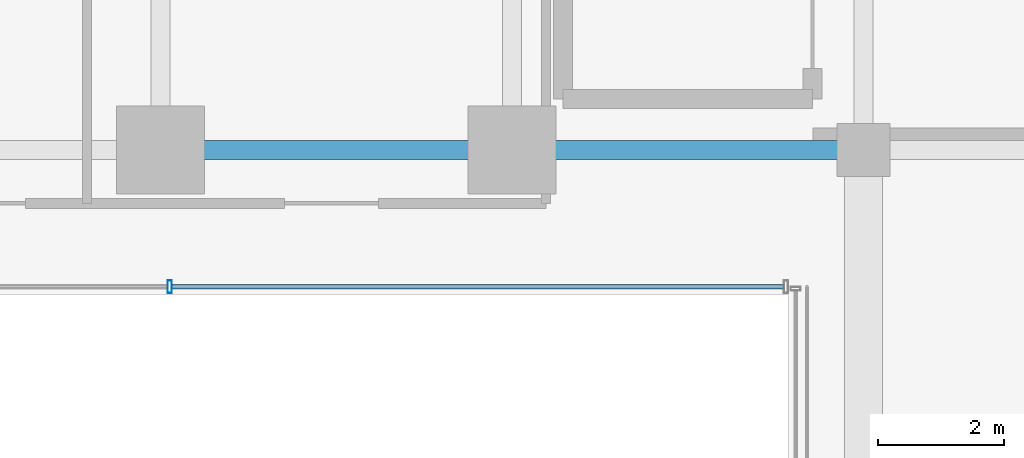
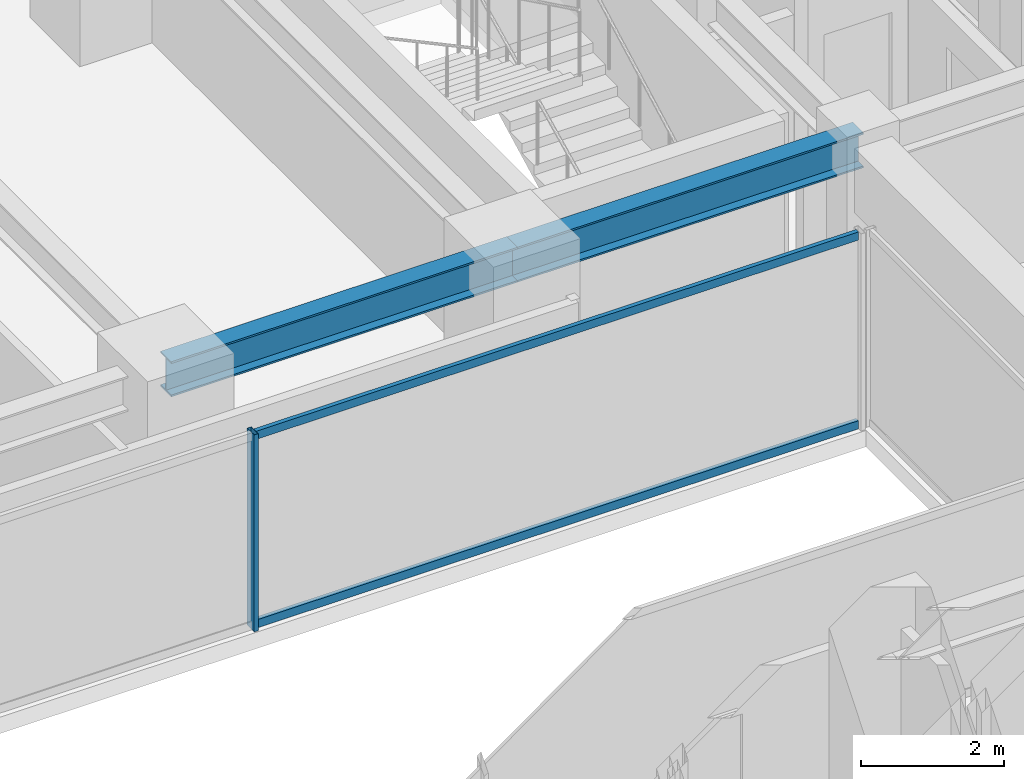
# One storey, part 13 of 41: 3 members, 2 beams, 1 element without a shape of its own.
"""IFC4 building model written with IfcOpenShell, lengths in metres."""

from ifc_helpers import new_model, si_unit, direction, frame, origin, origin_2d, place, context, subcontext, project, spatial, hollow_rectangle, i_section, extrude, source, transform, mapped, material, material_profile, profile_set, type_object, element, aggregate, save


model = new_model("IFC4")

# Units and contexts
model_context = context("Model", 3, precision=1e-05, world=origin(), true_north=direction((0.0, 1.0)))
body_context = subcontext(model_context, "Body", "Model", "MODEL_VIEW")
ifc_project = project(units=[si_unit("LENGTHUNIT", "METRE"), si_unit("AREAUNIT", "SQUARE_METRE"), si_unit("VOLUMEUNIT", "CUBIC_METRE"), si_unit("PLANEANGLEUNIT", "RADIAN"), si_unit("MASSUNIT", "GRAM", prefix="KILO")], contexts=[model_context])

# Site, building, storey
site_placement = place(None, origin())
site = spatial("IfcSite", under=ifc_project, at=site_placement, CompositionType="ELEMENT")
building_placement = place(site_placement, origin())
building = spatial("IfcBuilding", under=site, at=building_placement, Name="Nahalor Promenade Grand Hotel", CompositionType="ELEMENT")
storey_placement = place(building_placement, frame((0.0, 0.0, 54.300048828125)))
storey = spatial("IfcBuildingStorey", under=building, at=storey_placement, Name="L12", CompositionType="ELEMENT", Elevation=54.300048828125)

# Beams
ifc_material_1 = material(Name="Steel S355JR", Category="steel")
ifc_material_profile_1 = material_profile(ifc_material_1, i_section(OverallWidth=0.3, OverallDepth=0.6, WebThickness=0.0155, FlangeThickness=0.03, at=origin_2d()), Name="HEB 600")
ifc_profile_set_1 = profile_set([ifc_material_profile_1], Name="Steel S355JR")
beam_type = type_object("IfcBeamType", Name="Beam-Girder-HEB600", PredefinedType="BEAM", material=ifc_profile_set_1)
shared_shape_1 = source(origin(), body_context, "Body", "SweptSolid", [
    extrude(i_section(OverallWidth=0.3, OverallDepth=0.6, WebThickness=0.0155, FlangeThickness=0.03, at=origin_2d()), origin(), (0.0, 0.0, 1.0), 5.599853515625),
])
beam_1_placement = place(storey_placement, frame((2.800048828125, 5.39990234375, 3.070068359375), z_axis=(1.0, 0.0, 0.0), x_axis=(0.0, 1.0, 0.0)))
element("IfcBeam", 1, at=beam_1_placement, inside=storey, type_object=beam_type, Name="BM-L12-GX-2-4", PredefinedType="BEAM", context=body_context, shape_type="MappedRepresentation", body=[
    mapped(shared_shape_1, transform((0.0, 0.0, 0.0), scale=1.0)),
])
shared_shape_2 = source(origin(), body_context, "Body", "SweptSolid", [
    extrude(i_section(OverallWidth=0.3, OverallDepth=0.6, WebThickness=0.0155, FlangeThickness=0.03, at=origin_2d()), origin(), (0.0, 0.0, 1.0), 5.60009765625),
])
beam_2_placement = place(storey_placement, frame((-2.800048828125, 5.39990234375, 3.070068359375), z_axis=(1.0, 0.0, 0.0), x_axis=(0.0, 1.0, 0.0)))
element("IfcBeam", 2, at=beam_2_placement, inside=storey, type_object=beam_type, Name="BM-L12-GX-2-3", PredefinedType="BEAM", context=body_context, shape_type="MappedRepresentation", body=[
    mapped(shared_shape_2, transform((0.0, 0.0, 0.0), scale=1.0)),
])

# Curtain wall, members
ifc_material_2 = material(Name="Anodised Bronze Aluminium EN AW-6063 T6", Category="aluminium")
curtain_wall_type = type_object("IfcCurtainWallType", Name="CW3 Elliptical-Void Collar Unitised Curtain Wall", PredefinedType="USERDEFINED", material=ifc_material_2)
curtain_wall_placement = place(storey_placement, origin())
curtain_wall = element("IfcCurtainWall", 3, at=curtain_wall_placement, inside=storey, type_object=curtain_wall_type, Name="L12 Curtain Wall CW-L12-VOID-WN1", ObjectType="UNITISED_CURTAIN_WALL", PredefinedType="USERDEFINED")
ifc_material_profile_2 = material_profile(ifc_material_2, hollow_rectangle(XDim=0.07, YDim=0.2, WallThickness=0.005, at=origin_2d()), Name="CWM 70x200x5")
ifc_profile_set_2 = profile_set([ifc_material_profile_2], Name="Anodised Bronze Aluminium EN AW-6063 T6")
member_type_1 = type_object("IfcMemberType", Name="CWM3 Void Collar Mullion 70x200", PredefinedType="MULLION", material=ifc_profile_set_2)
shared_shape_3 = source(origin(), body_context, "Body", "SweptSolid", [
    extrude(hollow_rectangle(XDim=0.07, YDim=0.2, WallThickness=0.005, at=origin_2d()), origin(), (0.0, 0.0, 1.0), 3.369873046875),
])
member_1_placement = place(storey_placement, frame((-2.6533203125, 3.219970703125, 0.0), z_axis=(0.0, 0.0, 1.0), x_axis=(1.0, 0.0, 0.0)))
member_1 = element("IfcMember", 4, at=member_1_placement, type_object=member_type_1, Name="CW-L12-VOID-WN1 Mullion 2", PredefinedType="MULLION", context=body_context, shape_type="MappedRepresentation", body=[
    mapped(shared_shape_3, transform((0.0, 0.0, 0.0), scale=1.0)),
])
ifc_material_profile_3 = material_profile(ifc_material_2, hollow_rectangle(XDim=0.07, YDim=0.14, WallThickness=0.004, at=origin_2d()), Name="CWT 70x140x4")
ifc_profile_set_3 = profile_set([ifc_material_profile_3], Name="Anodised Bronze Aluminium EN AW-6063 T6")
member_type_2 = type_object("IfcMemberType", Name="CWT3 Void Collar Transom 70x140", PredefinedType="USERDEFINED", material=ifc_profile_set_3)
shared_shape_4 = source(origin(), body_context, "Body", "SweptSolid", [
    extrude(hollow_rectangle(XDim=0.07, YDim=0.14, WallThickness=0.004, at=origin_2d()), origin(), (0.0, 0.0, 1.0), 9.748291015625),
])
member_2_placement = place(storey_placement, frame((-2.618408203125, 3.219970703125, 0.070068359375), z_axis=(1.0, 0.0, 0.0), x_axis=(0.0, 1.0, 0.0)))
member_2 = element("IfcMember", 5, at=member_2_placement, type_object=member_type_2, Name="CW-L12-VOID-WN1 Transom 2-0", ObjectType="TRANSOM", PredefinedType="USERDEFINED", context=body_context, shape_type="MappedRepresentation", body=[
    mapped(shared_shape_4, transform((0.0, 0.0, 0.0), scale=1.0)),
])
member_3_placement = place(storey_placement, frame((-2.618408203125, 3.219970703125, 3.300048828125), z_axis=(1.0, 0.0, 0.0), x_axis=(0.0, 1.0, 0.0)))
member_3 = element("IfcMember", 6, at=member_3_placement, type_object=member_type_2, Name="CW-L12-VOID-WN1 Transom 2-1", ObjectType="TRANSOM", PredefinedType="USERDEFINED", context=body_context, shape_type="MappedRepresentation", body=[
    mapped(shared_shape_4, transform((0.0, 0.0, 0.0), scale=1.0)),
])
aggregate(curtain_wall, [member_1, member_2, member_3])

save(model, "model.ifc")
